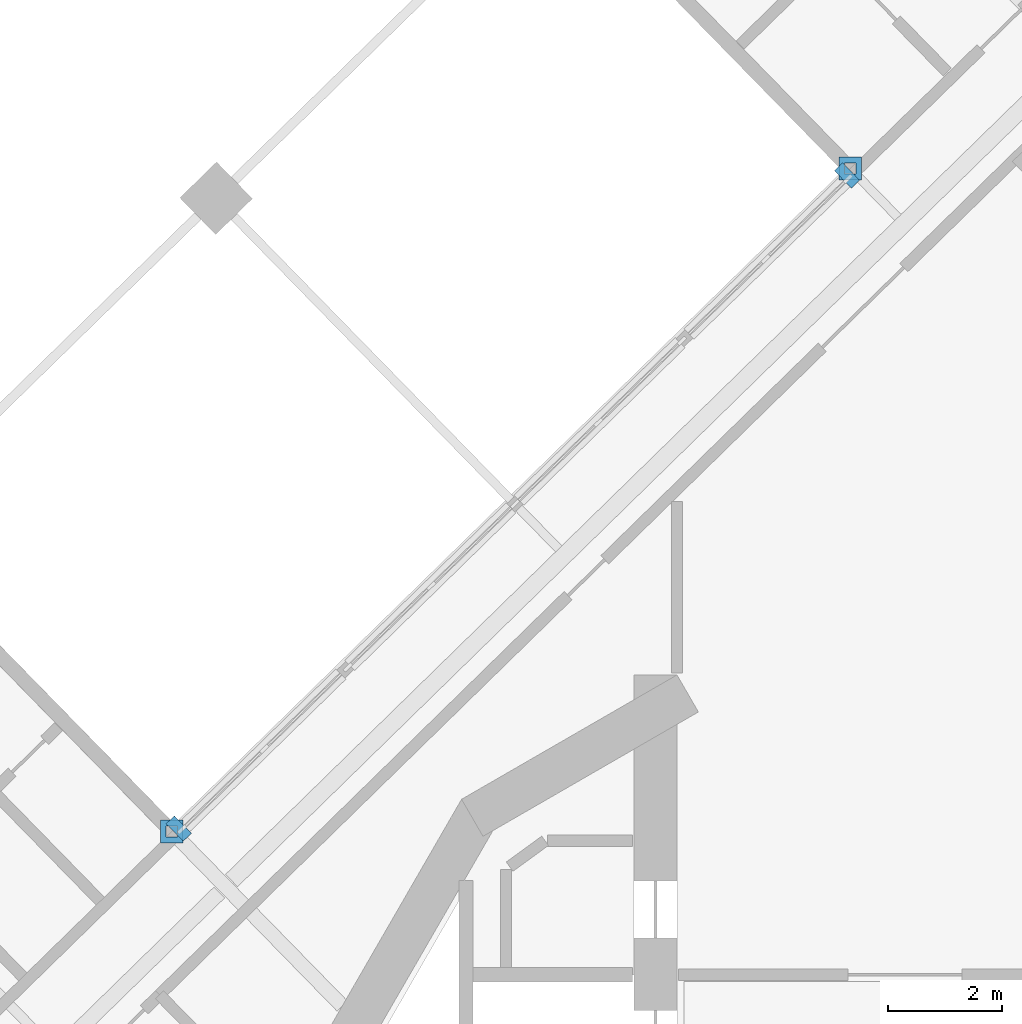
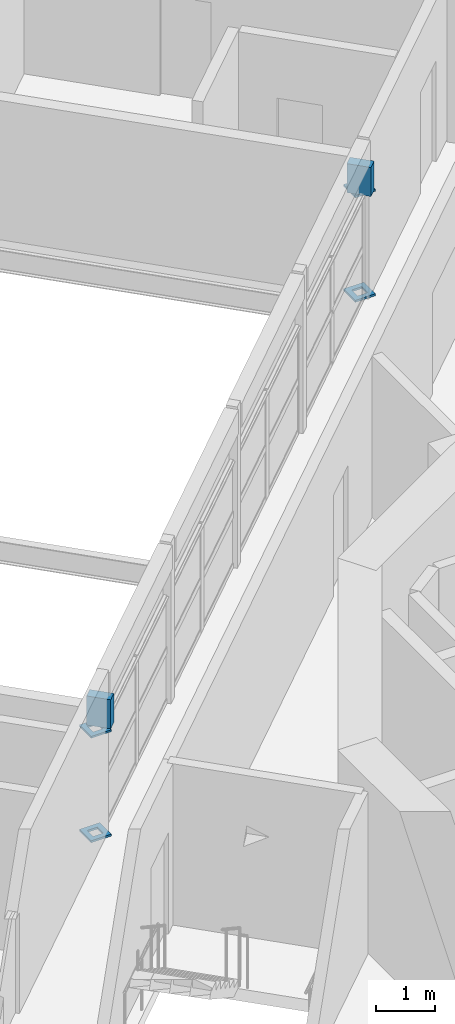
# One storey, part 13 of 19: 6 discrete accessories.
"""IFC4 building model written with IfcOpenShell, lengths in metres."""

import ifcopenshell
import ifcopenshell.guid

model = None  # the IFC model being written
_history = None  # IfcOwnerHistory: only IFC2X3 demands one
_inside = {}  # id of a spatial element -> (the spatial element, [elements in it])
_under = {}  # id of a project, library or spatial element -> (it, [spatial elements below it])
_declared = {}  # id of a project -> (the project, [libraries it declares])
_typed = {}  # id of a type object -> (the type object, [elements of that type])
_made_of = {}  # id of a material, layer set ... -> (it, [elements and type objects made of it])


def new_model(schema):
    """Start an empty IFC model of exactly this schema.

    Asked for "IFC4X3", IfcOpenShell would pick the latest addendum, in which some entities
    have other attributes; the version numbers below select the first issue.
    IFC2X3 requires an IfcOwnerHistory on every rooted entity: one is made here for all.
    """
    global model, _history
    if schema == "IFC4X3":
        model = ifcopenshell.file(schema_version=(4, 3, 0, 0))
    else:
        model = ifcopenshell.file(schema=schema)
    _inside.clear()
    _under.clear()
    _declared.clear()
    _typed.clear()
    _made_of.clear()
    _history = None
    if model.schema == "IFC2X3":
        org = make("IfcOrganization", Name="unknown")
        user = make(
            "IfcPersonAndOrganization",
            ThePerson=make("IfcPerson", FamilyName="unknown"),
            TheOrganization=org,
        )
        app = make(
            "IfcApplication",
            ApplicationDeveloper=org,
            Version="unknown",
            ApplicationFullName="unknown",
            ApplicationIdentifier="unknown",
        )
        _history = make(
            "IfcOwnerHistory",
            OwningUser=user,
            OwningApplication=app,
            ChangeAction="ADDED",
            CreationDate=0,
        )
    return model


def make(cls, **values):
    """One entity of the class cls with the attributes given. An attribute that is None is left unset."""
    return model.create_entity(
        cls, **{name: value for name, value in values.items() if value is not None}
    )


def rooted(cls, **values):
    """An entity with a GlobalId (a new one), such as an element, a storey or a relation."""
    return make(cls, GlobalId=ifcopenshell.guid.new(), OwnerHistory=_history, **values)


def si_unit(unit_type, name, prefix=None):
    """IfcSIUnit, for example si_unit("LENGTHUNIT", "METRE", prefix="MILLI")."""
    return make("IfcSIUnit", UnitType=unit_type, Prefix=prefix, Name=name)


def assignment(units):
    """IfcUnitAssignment: the units of a project."""
    return None if units is None else make("IfcUnitAssignment", Units=units)


def point(xyz):
    """IfcCartesianPoint."""
    return None if xyz is None else make("IfcCartesianPoint", Coordinates=xyz)


def direction(xyz):
    """IfcDirection."""
    return None if xyz is None else make("IfcDirection", DirectionRatios=xyz)


def frame(location, z_axis=None, x_axis=None):
    """IfcAxis2Placement3D, a coordinate frame: its origin and axes. An axis left out is left unset."""
    return make(
        "IfcAxis2Placement3D",
        Location=point(location),
        Axis=direction(z_axis),
        RefDirection=direction(x_axis),
    )


def origin():
    """The frame at (0, 0, 0) with its axes left unset."""
    return frame((0.0, 0.0, 0.0))


def place(relative_to, where):
    """IfcLocalPlacement: puts the frame where relative to a parent placement (None: the world)."""
    return make(
        "IfcLocalPlacement", PlacementRelTo=relative_to, RelativePlacement=where
    )


def context(
    kind, dimensions, precision=None, world=None, true_north=None, identifier=None
):
    """IfcGeometricRepresentationContext, for example the 3D "Model" context."""
    return make(
        "IfcGeometricRepresentationContext",
        ContextIdentifier=identifier,
        ContextType=kind,
        CoordinateSpaceDimension=dimensions,
        Precision=precision,
        WorldCoordinateSystem=world,
        TrueNorth=true_north,
    )


def subcontext(parent, identifier, kind, view, scale=None):
    """IfcGeometricRepresentationSubContext, for example "Body" below "Model"."""
    return make(
        "IfcGeometricRepresentationSubContext",
        ContextIdentifier=identifier,
        ContextType=kind,
        ParentContext=parent,
        TargetScale=scale,
        TargetView=view,
    )


def project(units=None, contexts=None):
    """IfcProject with its units and contexts."""
    return rooted(
        "IfcProject",
        Name="project",
        RepresentationContexts=contexts,
        UnitsInContext=assignment(units),
    )


def spatial(cls, under=None, at=None, **own):
    """A site, building, storey or space (cls), placed at a placement, below another one or the project."""
    s = rooted(cls, ObjectPlacement=at, **own)
    if under is not None:
        _under.setdefault(under.id(), (under, []))[1].append(s)
    return s


def polyline(points):
    """IfcPolyline through the points."""
    return make("IfcPolyline", Points=[point(p) for p in points])


def outline(outer, holes=None, kind="AREA"):
    """IfcArbitraryClosedProfileDef: a profile drawn as a closed curve; with holes, ...WithVoids."""
    if holes is None:
        return make("IfcArbitraryClosedProfileDef", ProfileType=kind, OuterCurve=outer)
    return make(
        "IfcArbitraryProfileDefWithVoids",
        ProfileType=kind,
        OuterCurve=outer,
        InnerCurves=holes,
    )


def extrude(swept, where, along, depth):
    """IfcExtrudedAreaSolid: the profile swept, set in the frame where, extruded along a direction by depth."""
    return make(
        "IfcExtrudedAreaSolid",
        SweptArea=swept,
        Position=where,
        ExtrudedDirection=direction(along),
        Depth=depth,
    )


def shape(context_of_items, identifier, shape_type, items):
    """IfcShapeRepresentation: the items that make up one representation, for example the "Body"."""
    return make(
        "IfcShapeRepresentation",
        ContextOfItems=context_of_items,
        RepresentationIdentifier=identifier,
        RepresentationType=shape_type,
        Items=items,
    )


def material(Name=None, Category=None):
    """IfcMaterial."""
    return make("IfcMaterial", Name=Name, Category=Category)


def layer(
    of_material, thickness, ventilated=None, Name=None, Category=None, Priority=None
):
    """IfcMaterialLayer: one layer of a wall or slab, of a material (None: an air gap)."""
    return make(
        "IfcMaterialLayer",
        Material=of_material,
        LayerThickness=thickness,
        IsVentilated=ventilated,
        Name=Name,
        Category=Category,
        Priority=Priority,
    )


def layer_set(layers, Name=None):
    """IfcMaterialLayerSet."""
    return make("IfcMaterialLayerSet", MaterialLayers=layers, LayerSetName=Name)


def made_of(thing, what):
    """Note that an element or type object is made of a material, layer set ...; save() writes the relation."""
    if what is not None:
        _made_of.setdefault(what.id(), (what, []))[1].append(thing)
    return thing


def type_object(cls, material=None, **own):
    """A type object (cls), such as IfcWallType, which elements share."""
    return made_of(rooted(cls, **own), material)


def element(
    cls,
    number,
    at=None,
    inside=None,
    cuts=None,
    type_object=None,
    material=None,
    context=None,
    identifier="Body",
    shape_type=None,
    held_by="IfcProductDefinitionShape",
    body=None,
    shapes=None,
    **own,
):
    """One element of the class cls, such as IfcWall. Its Tag is "e" and its number.

    at: its placement. inside: the storey or other place that contains it. cuts: it is an
    opening in that element (IfcRelVoidsElement). A single representation is given by context,
    identifier, shape_type and body (its items); several are given by shapes. held_by: the class
    of the entity that holds the representations. save() writes the other relations.
    """
    e = rooted(cls, Tag="e%d" % number, ObjectPlacement=at, **own)
    if body is not None:
        shapes = [shape(context, identifier, shape_type, body)]
    if shapes is not None:
        e.Representation = make(held_by, Representations=shapes)
    if inside is not None:
        _inside.setdefault(inside.id(), (inside, []))[1].append(e)
    if cuts is not None:
        rooted(
            "IfcRelVoidsElement", RelatingBuildingElement=cuts, RelatedOpeningElement=e
        )
    if type_object is not None:
        _typed.setdefault(type_object.id(), (type_object, []))[1].append(e)
    return made_of(e, material)


def aggregate(whole, parts):
    """IfcRelAggregates: a whole, such as a stair, and the parts it consists of."""
    return rooted("IfcRelAggregates", RelatingObject=whole, RelatedObjects=parts)


def save(model, path):
    """Write the relations noted so far, then the file.

    IfcRelAggregates (storeys below a building ...), IfcRelContainedInSpatialStructure (elements
    in a storey), IfcRelDefinesByType, IfcRelAssociatesMaterial and IfcRelDeclares: one each for
    every whole, place, type object, material and project.
    """
    for whole, parts in _under.values():
        aggregate(whole, parts)
    for where, things in _inside.values():
        rooted(
            "IfcRelContainedInSpatialStructure",
            RelatedElements=things,
            RelatingStructure=where,
        )
    for kind, things in _typed.values():
        rooted("IfcRelDefinesByType", RelatedObjects=things, RelatingType=kind)
    for what, things in _made_of.values():
        rooted("IfcRelAssociatesMaterial", RelatedObjects=things, RelatingMaterial=what)
    for by, libraries in _declared.values():
        rooted("IfcRelDeclares", RelatingContext=by, RelatedDefinitions=libraries)
    model.write(path)


model = new_model("IFC4")

# Units and contexts
model_context = context("Model", 3, precision=1e-05, world=origin(), true_north=direction((0.0, 1.0)))
body_context = subcontext(model_context, "Body", "Model", "MODEL_VIEW")
ifc_project = project(units=[si_unit("LENGTHUNIT", "METRE"), si_unit("AREAUNIT", "SQUARE_METRE"), si_unit("VOLUMEUNIT", "CUBIC_METRE"), si_unit("PLANEANGLEUNIT", "RADIAN"), si_unit("MASSUNIT", "GRAM", prefix="KILO")], contexts=[model_context])

# Site, building, storey
site_placement = place(None, origin())
site = spatial("IfcSite", under=ifc_project, at=site_placement, CompositionType="ELEMENT")
building_placement = place(site_placement, origin())
building = spatial("IfcBuilding", under=site, at=building_placement, Name="Cantera Rosa Tower", CompositionType="ELEMENT")
storey_placement = place(building_placement, frame((0.0, 0.0, 223.39990234375)))
storey = spatial("IfcBuildingStorey", under=building, at=storey_placement, Name="L48", CompositionType="ELEMENT", Elevation=223.39990234375)

# Discrete accessories
ifc_material = material(Name="Steel ASTM A992 (Fy 345 MPa)", Category="steel")
ifc_layer = layer(ifc_material, 0.0400390625)
ifc_layer_set = layer_set([ifc_layer], Name="STEEL BEARING PLATE 40")
discrete_accessory_type = type_object("IfcDiscreteAccessoryType", Name="STEEL BEARING PLATE 40", PredefinedType="ANCHORPLATE", material=ifc_layer_set)
discrete_accessory_1_placement = place(storey_placement, origin())
element("IfcDiscreteAccessory", 1, at=discrete_accessory_1_placement, inside=storey, type_object=discrete_accessory_type, Name="POST PLATE L48-1F", PredefinedType="ANCHORPLATE", context=body_context, shape_type="SweptSolid", body=[
    extrude(outline(polyline([(-1.16162109375, 18.642578125), (-0.76171875, 18.642578125), (-0.76171875, 19.042724609375), (-1.16162109375, 19.042724609375), (-1.16162109375, 18.642578125)]), holes=[polyline([(-1.061767578125, 18.74267578125), (-0.86181640625, 18.74267578125), (-0.86181640625, 18.942626953125), (-1.061767578125, 18.942626953125), (-1.061767578125, 18.74267578125)])]), origin(), (0.0, 0.0, 1.0), 0.0400390625),
])
discrete_accessory_2_placement = place(storey_placement, frame((0.0, 0.0, 2.168212890625)))
element("IfcDiscreteAccessory", 2, at=discrete_accessory_2_placement, inside=storey, type_object=discrete_accessory_type, Name="POST PLATE L48-1T", PredefinedType="ANCHORPLATE", context=body_context, shape_type="SweptSolid", body=[
    extrude(outline(polyline([(-1.16162109375, 18.642578125), (-0.76171875, 18.642578125), (-0.76171875, 19.042724609375), (-1.16162109375, 19.042724609375), (-1.16162109375, 18.642578125)]), holes=[polyline([(-1.061767578125, 18.74267578125), (-0.86181640625, 18.74267578125), (-0.86181640625, 18.942626953125), (-1.061767578125, 18.942626953125), (-1.061767578125, 18.74267578125)])]), origin(), (0.0, 0.0, 1.0), 0.039794921875),
])
discrete_accessory_3_placement = place(storey_placement, origin())
element("IfcDiscreteAccessory", 3, at=discrete_accessory_3_placement, inside=storey, type_object=discrete_accessory_type, Name="POST PLATE L48-2F", PredefinedType="ANCHORPLATE", context=body_context, shape_type="SweptSolid", body=[
    extrude(outline(polyline([(-13.064208984375, 7.01416015625), (-12.6640625, 7.01416015625), (-12.6640625, 7.414306640625), (-13.064208984375, 7.414306640625), (-13.064208984375, 7.01416015625)]), holes=[polyline([(-12.964111328125, 7.1142578125), (-12.76416015625, 7.1142578125), (-12.76416015625, 7.314208984375), (-12.964111328125, 7.314208984375), (-12.964111328125, 7.1142578125)])]), origin(), (0.0, 0.0, 1.0), 0.0400390625),
])
discrete_accessory_4_placement = place(storey_placement, frame((0.0, 0.0, 2.168212890625)))
element("IfcDiscreteAccessory", 4, at=discrete_accessory_4_placement, inside=storey, type_object=discrete_accessory_type, Name="POST PLATE L48-2T", PredefinedType="ANCHORPLATE", context=body_context, shape_type="SweptSolid", body=[
    extrude(outline(polyline([(-13.064208984375, 7.01416015625), (-12.6640625, 7.01416015625), (-12.6640625, 7.414306640625), (-13.064208984375, 7.414306640625), (-13.064208984375, 7.01416015625)]), holes=[polyline([(-12.964111328125, 7.1142578125), (-12.76416015625, 7.1142578125), (-12.76416015625, 7.314208984375), (-12.964111328125, 7.314208984375), (-12.964111328125, 7.1142578125)])]), origin(), (0.0, 0.0, 1.0), 0.039794921875),
])
discrete_accessory_5_placement = place(storey_placement, frame((0.0, 0.0, 2.2080078125)))
element("IfcDiscreteAccessory", 5, at=discrete_accessory_5_placement, inside=storey, type_object=discrete_accessory_type, Name="LINTEL PLATE L48-1", PredefinedType="ANCHORPLATE", context=body_context, shape_type="SweptSolid", body=[
    extrude(outline(polyline([(-0.93798828125, 18.49658203125), (-0.795166015625, 18.636474609375), (-1.09423828125, 18.942626953125), (-1.2373046875, 18.802734375), (-0.93798828125, 18.49658203125)])), origin(), (0.0, 0.0, 1.0), 0.60205078125),
])
discrete_accessory_6_placement = place(storey_placement, frame((0.0, 0.0, 2.2080078125)))
element("IfcDiscreteAccessory", 6, at=discrete_accessory_6_placement, inside=storey, type_object=discrete_accessory_type, Name="LINTEL PLATE L48-2", PredefinedType="ANCHORPLATE", context=body_context, shape_type="SweptSolid", body=[
    extrude(outline(polyline([(-12.817626953125, 7.48876953125), (-12.960693359375, 7.348876953125), (-12.66162109375, 7.042724609375), (-12.5185546875, 7.1826171875), (-12.817626953125, 7.48876953125)])), origin(), (0.0, 0.0, 1.0), 0.60205078125),
])

save(model, "model.ifc")
